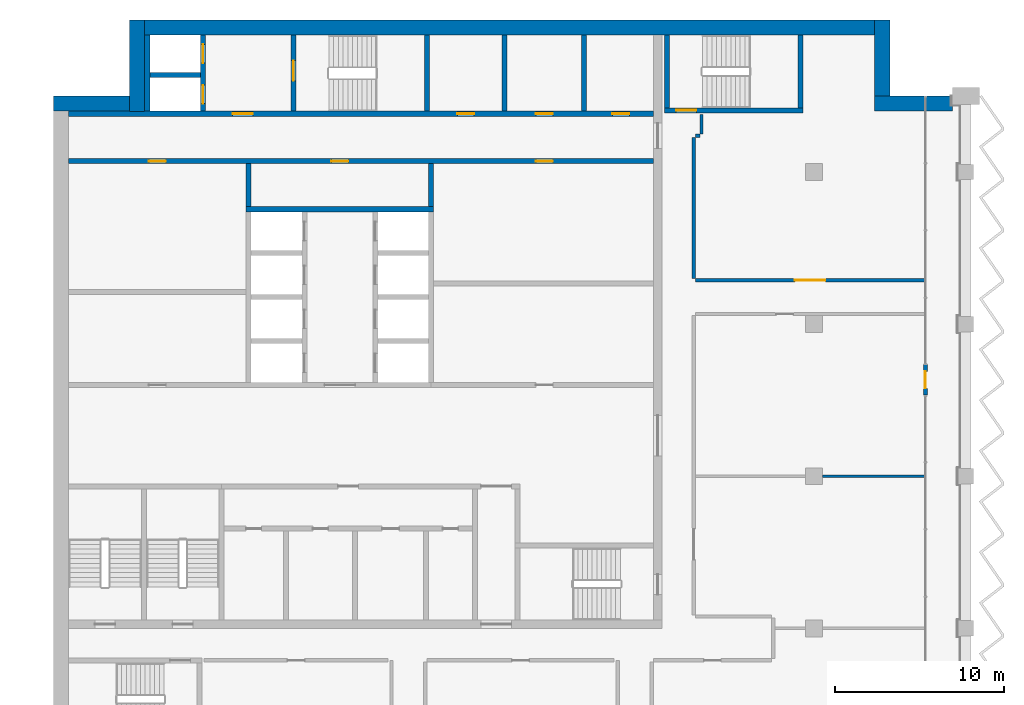
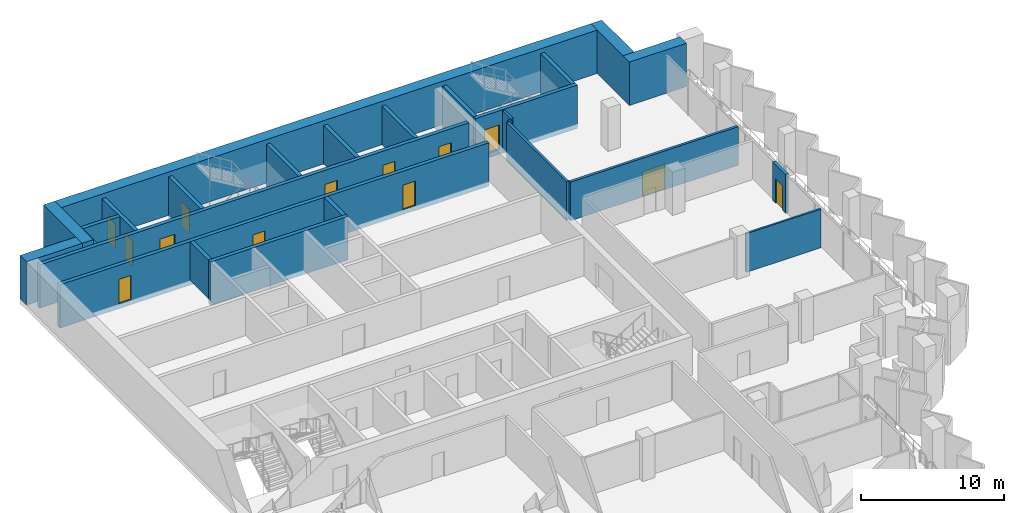
# One storey, part 10 of 16: 26 walls, 13 doors, 13 openings.
"""IFC4 building model written with IfcOpenShell, lengths in metres."""

from ifc_helpers import new_model, si_unit, direction, frame, frame_2d, origin, place, context, subcontext, project, spatial, rectangle, extrude, material, layer, layer_set, type_object, element, fill, save


model = new_model("IFC4")

# Units and contexts
model_context = context("Model", 3, precision=1e-05, world=origin(), true_north=direction((0.0, 1.0)))
body_context = subcontext(model_context, "Body", "Model", "MODEL_VIEW")
ifc_project = project(units=[si_unit("LENGTHUNIT", "METRE"), si_unit("AREAUNIT", "SQUARE_METRE"), si_unit("VOLUMEUNIT", "CUBIC_METRE"), si_unit("PLANEANGLEUNIT", "RADIAN"), si_unit("MASSUNIT", "GRAM", prefix="KILO")], contexts=[model_context])

# Site, building, storey
site_placement = place(None, origin())
site = spatial("IfcSite", under=ifc_project, at=site_placement, CompositionType="ELEMENT")
building_placement = place(site_placement, origin())
building = spatial("IfcBuilding", under=site, at=building_placement, Name="Hunhe Ridgeline Campus", CompositionType="ELEMENT")
storey_placement = place(building_placement, frame((0.0, 0.0, 261.39990234375)))
storey = spatial("IfcBuildingStorey", under=building, at=storey_placement, Name="L67", CompositionType="ELEMENT", Elevation=261.39990234375)

# Walls
ifc_material_1 = material(Name="Masonry concrete blockwork", Category="masonry")
ifc_layer_1 = layer(ifc_material_1, 0.300048828125)
ifc_layer_set_1 = layer_set([ifc_layer_1], Name="Core room partition 300 concrete block")
wall_type_1 = type_object("IfcWallType", Name="Core room partition 300 concrete block", PredefinedType="PARTITIONING", material=ifc_layer_set_1)
for number, where, z_axis, x_axis, name in (
    (1, (11.550048828125, 87.949951171875, 0.0), (0.0, 0.0, 1.0), (0.0, 1.0, 0.0), "L67 core partition 31"),
    (2, (22.35009765625, 87.949951171875, 0.0), (0.0, 0.0, 1.0), (0.0, 1.0, 0.0), "L67 core partition 41"),
):
    element("IfcWall", number, at=place(storey_placement, frame(where, z_axis=z_axis, x_axis=x_axis)), inside=storey, type_object=wall_type_1, Name=name, PredefinedType="PARTITIONING", context=body_context, shape_type="SweptSolid", body=[
        extrude(rectangle(XDim=2.550048828125, YDim=0.300048828125, at=frame_2d((1.27490234375, 0.0))), origin(), (0.0, 0.0, 1.0), 3.300048828125),
    ])
for number, where, z_axis, x_axis, name in (
    (3, (26.699951171875, 93.60009765625, 0.0), (0.0, 0.0, 1.0), (0.0, 1.0, 0.0), "L67 core partition 44"),
    (4, (31.39990234375, 93.60009765625, 0.0), (0.0, 0.0, 1.0), (0.0, 1.0, 0.0), "L67 core partition 47"),
):
    element("IfcWall", number, at=place(storey_placement, frame(where, z_axis=z_axis, x_axis=x_axis)), inside=storey, type_object=wall_type_1, Name=name, PredefinedType="PARTITIONING", context=body_context, shape_type="SweptSolid", body=[
        extrude(rectangle(XDim=4.5, YDim=0.300048828125, at=frame_2d((2.25, 0.0))), origin(), (0.0, 0.0, 1.0), 3.300048828125),
    ])

# Wall, opening, door
ifc_material_2 = material(Name="Gypsum board partition")
ifc_layer_2 = layer(ifc_material_2, 0.199951171875)
ifc_layer_set_2 = layer_set([ifc_layer_2], Name="Corridor partition 200 gypsum board on steel studs")
wall_type_2 = type_object("IfcWallType", Name="Corridor partition 200 gypsum board on steel studs", PredefinedType="PARTITIONING", material=ifc_layer_set_2)
wall_1_placement = place(storey_placement, frame((38.0, 83.60009765625, 0.0), z_axis=(0.0, 0.0, 1.0), x_axis=(1.0, 0.0, 0.0)))
wall_1 = element("IfcWall", 5, at=wall_1_placement, inside=storey, type_object=wall_type_2, Name="F-L67-wall-030", PredefinedType="PARTITIONING", context=body_context, shape_type="SweptSolid", body=[
    extrude(rectangle(XDim=13.544921875, YDim=0.199951171875, at=frame_2d((6.7724609375, 0.0))), origin(), (0.0, 0.0, 1.0), 3.300048828125),
])
opening_1_placement = place(wall_1_placement, frame((5.87255859375, 0.0, 0.0)))
opening_1 = element("IfcOpeningElement", 6, at=opening_1_placement, cuts=wall_1, Name="Opening RD2-020", PredefinedType="OPENING", context=body_context, shape_type="SweptSolid", body=[
    extrude(rectangle(XDim=1.800048828125, YDim=2.10009765625, at=frame_2d((0.89990234375, 1.050048828125))), frame((0.0, 0.10009765625, 0.0), z_axis=(0.0, -1.0, 0.0), x_axis=(1.0, 0.0, 0.0)), (0.0, 0.0, 1.0), 0.199951171875),
])
ifc_material_3 = material(Name="Timber door leaf", Category="wood")
door_type_1 = type_object("IfcDoorType", Name="Double fire door 1800x2100 timber FD60", OperationType="DOUBLE_DOOR_SINGLE_SWING", PredefinedType="DOOR", material=ifc_material_3)
door_1_placement = place(opening_1_placement, origin())
door_1 = element("IfcDoor", 7, at=door_1_placement, inside=storey, type_object=door_type_1, Name="F-L67-door-020", OperationType="DOUBLE_DOOR_SINGLE_SWING", OverallHeight=2.10009765625, OverallWidth=1.800048828125, PredefinedType="DOOR", context=body_context, shape_type="SweptSolid", body=[
    extrude(rectangle(XDim=1.800048828125, YDim=2.10009765625, at=frame_2d((0.89990234375, 1.050048828125))), frame((0.0, 0.02490234375, 0.0), z_axis=(0.0, -1.0, 0.0), x_axis=(1.0, 0.0, 0.0)), (0.0, 0.0, 1.0), 0.050048828125),
])
fill(opening_1, door_1)

# Walls
wall_2_placement = place(storey_placement, frame((38.25, 92.14990234375, 0.0), z_axis=(0.0, 0.0, 1.0), x_axis=(-1.0, 0.0, 0.0)))
element("IfcWall", 8, at=wall_2_placement, inside=storey, type_object=wall_type_2, Name="F-L67-wall-031", PredefinedType="PARTITIONING", context=body_context, shape_type="SweptSolid", body=[
    extrude(rectangle(XDim=0.25, YDim=0.199951171875, at=frame_2d((0.125, 0.0))), origin(), (0.0, 0.0, 1.0), 3.300048828125),
])
wall_3_placement = place(storey_placement, frame((37.89990234375, 92.050048828125, 0.0), z_axis=(0.0, 0.0, 1.0), x_axis=(0.0, -1.0, 0.0)))
element("IfcWall", 9, at=wall_3_placement, inside=storey, type_object=wall_type_2, Name="F-L67-wall-040", PredefinedType="PARTITIONING", context=body_context, shape_type="SweptSolid", body=[
    extrude(rectangle(XDim=8.35009765625, YDim=0.199951171875, at=frame_2d((4.175048828125, 0.0))), origin(), (0.0, 0.0, 1.0), 3.300048828125),
])
wall_4_placement = place(storey_placement, frame((38.35009765625, 93.39599609375, 0.0), z_axis=(0.0, 0.0, 1.0), x_axis=(0.0, -1.0, 0.0)))
element("IfcWall", 10, at=wall_4_placement, inside=storey, type_object=wall_type_2, Name="F-L67-wall-041", PredefinedType="PARTITIONING", context=body_context, shape_type="SweptSolid", body=[
    extrude(rectangle(XDim=1.14599609375, YDim=0.199951171875, at=frame_2d((0.572998046875, 0.0))), origin(), (0.0, 0.0, 1.0), 3.300048828125),
])

# Wall, openings, doors
ifc_material_4 = material(Name="Concrete C50", Category="concrete")
ifc_layer_3 = layer(ifc_material_4, 0.300048828125)
ifc_layer_set_3 = layer_set([ifc_layer_3], Name="Lobby wall 300 reinforced concrete C50")
wall_type_3 = type_object("IfcWallType", Name="Lobby wall 300 reinforced concrete C50", PredefinedType="SOLIDWALL", material=ifc_layer_set_3)
wall_5_placement = place(storey_placement, frame((0.89990234375, 90.64990234375, -0.39990234375), z_axis=(0.0, 0.0, 1.0), x_axis=(1.0, 0.0, 0.0)))
wall_5 = element("IfcWall", 11, at=wall_5_placement, inside=storey, type_object=wall_type_3, Name="L67 core wall 21", PredefinedType="SOLIDWALL", context=body_context, shape_type="SweptSolid", body=[
    extrude(rectangle(XDim=34.60009765625, YDim=0.300048828125, at=frame_2d((17.300048828125, 0.0))), origin(), (0.0, 0.0, 1.0), 3.699951171875),
])
opening_2_placement = place(wall_5_placement, frame((15.550048828125, 0.0, 0.39990234375)))
opening_2 = element("IfcOpeningElement", 12, at=opening_2_placement, cuts=wall_5, Name="Opening CD26", PredefinedType="OPENING", context=body_context, shape_type="SweptSolid", body=[
    extrude(rectangle(XDim=1.0, YDim=2.10009765625, at=frame_2d((0.5, 1.050048828125))), frame((0.0, 0.14990234375, 0.0), z_axis=(0.0, -1.0, 0.0), x_axis=(1.0, 0.0, 0.0)), (0.0, 0.0, 1.0), 0.300048828125),
])
opening_3_placement = place(wall_5_placement, frame((4.75, 0.0, 0.39990234375)))
opening_3 = element("IfcOpeningElement", 13, at=opening_3_placement, cuts=wall_5, Name="Opening CD40", PredefinedType="OPENING", context=body_context, shape_type="SweptSolid", body=[
    extrude(rectangle(XDim=1.0, YDim=2.10009765625, at=frame_2d((0.5, 1.050048828125))), frame((0.0, 0.14990234375, 0.0), z_axis=(0.0, -1.0, 0.0), x_axis=(1.0, 0.0, 0.0)), (0.0, 0.0, 1.0), 0.300048828125),
])
opening_4_placement = place(wall_5_placement, frame((27.64990234375, 0.0, 0.39990234375)))
opening_4 = element("IfcOpeningElement", 14, at=opening_4_placement, cuts=wall_5, Name="Opening CD33", PredefinedType="OPENING", context=body_context, shape_type="SweptSolid", body=[
    extrude(rectangle(XDim=1.0, YDim=2.10009765625, at=frame_2d((0.5, 1.050048828125))), frame((0.0, 0.14990234375, 0.0), z_axis=(0.0, -1.0, 0.0), x_axis=(1.0, 0.0, 0.0)), (0.0, 0.0, 1.0), 0.300048828125),
])
ifc_material_5 = material(Name="Solid core timber door leaf", Category="wood")
door_type_2 = type_object("IfcDoorType", Name="Timber door 1000x2100", OperationType="SINGLE_SWING_LEFT", PredefinedType="DOOR", material=ifc_material_5)
door_2_placement = place(opening_2_placement, frame((1.0, 0.0, 0.0), z_axis=(0.0, 0.0, 1.0), x_axis=(-1.0, 0.0, 0.0)))
door_2 = element("IfcDoor", 15, at=door_2_placement, inside=storey, type_object=door_type_2, Name="L67 door NR-0", OperationType="SINGLE_SWING_RIGHT", OverallHeight=2.10009765625, OverallWidth=1.0, PredefinedType="DOOR", context=body_context, shape_type="SweptSolid", body=[
    extrude(rectangle(XDim=1.0, YDim=2.10009765625, at=frame_2d((0.5, 1.050048828125))), frame((0.0, 0.02490234375, 0.0), z_axis=(0.0, -1.0, 0.0), x_axis=(1.0, 0.0, 0.0)), (0.0, 0.0, 1.0), 0.050048828125),
])
fill(opening_2, door_2)
door_3_placement = place(opening_3_placement, frame((1.0, 0.0, 0.0), z_axis=(0.0, 0.0, 1.0), x_axis=(-1.0, 0.0, 0.0)))
door_3 = element("IfcDoor", 16, at=door_3_placement, inside=storey, type_object=door_type_2, Name="L67 door VD-LR1", OperationType="SINGLE_SWING_RIGHT", OverallHeight=2.10009765625, OverallWidth=1.0, PredefinedType="DOOR", context=body_context, shape_type="SweptSolid", body=[
    extrude(rectangle(XDim=1.0, YDim=2.10009765625, at=frame_2d((0.5, 1.050048828125))), frame((0.0, 0.02490234375, 0.0), z_axis=(0.0, -1.0, 0.0), x_axis=(1.0, 0.0, 0.0)), (0.0, 0.0, 1.0), 0.050048828125),
])
fill(opening_3, door_3)
door_4_placement = place(opening_4_placement, frame((1.0, 0.0, 0.0), z_axis=(0.0, 0.0, 1.0), x_axis=(-1.0, 0.0, 0.0)))
door_4 = element("IfcDoor", 17, at=door_4_placement, inside=storey, type_object=door_type_2, Name="L67 door ES1", OperationType="SINGLE_SWING_LEFT", OverallHeight=2.10009765625, OverallWidth=1.0, PredefinedType="DOOR", context=body_context, shape_type="SweptSolid", body=[
    extrude(rectangle(XDim=1.0, YDim=2.10009765625, at=frame_2d((0.5, 1.050048828125))), frame((0.0, 0.02490234375, 0.0), z_axis=(0.0, -1.0, 0.0), x_axis=(1.0, 0.0, 0.0)), (0.0, 0.0, 1.0), 0.050048828125),
])
fill(opening_4, door_4)

# Wall, opening, door
ifc_material_6 = material(Name="Concrete C30", Category="concrete")
ifc_layer_4 = layer(ifc_material_6, 0.25)
ifc_layer_set_4 = layer_set([ifc_layer_4], Name="Loggia door pier wall 250 Concrete C30")
wall_type_4 = type_object("IfcWallType", Name="Loggia door pier wall 250 Concrete C30", PredefinedType="SOLIDWALL", material=ifc_layer_set_4)
wall_6_placement = place(storey_placement, frame((51.59912109375, 76.800537109375, 0.0), z_axis=(0.0, 0.0, 1.0), x_axis=(0.0, 1.0, 0.0)))
wall_6 = element("IfcWall", 18, at=wall_6_placement, inside=storey, type_object=wall_type_4, Name="Loggia door pier 4", PredefinedType="SOLIDWALL", context=body_context, shape_type="SweptSolid", body=[
    extrude(rectangle(XDim=1.800048828125, YDim=0.25, at=frame_2d((0.89990234375, 0.0))), origin(), (0.0, 0.0, 1.0), 3.300048828125),
])
opening_5_placement = place(wall_6_placement, frame((0.39990234375, 0.0, 0.0)))
opening_5 = element("IfcOpeningElement", 19, at=opening_5_placement, cuts=wall_6, Name="Opening BD506", PredefinedType="OPENING", context=body_context, shape_type="SweptSolid", body=[
    extrude(rectangle(XDim=1.0, YDim=2.10009765625, at=frame_2d((0.5, 1.050048828125))), frame((0.0, 0.125, 0.0), z_axis=(0.0, -1.0, 0.0), x_axis=(1.0, 0.0, 0.0)), (0.0, 0.0, 1.0), 0.25),
])
ifc_material_7 = material(Name="Aluminium 6063", Category="aluminium")
door_type_3 = type_object("IfcDoorType", Name="Loggia glazed door 1000x2100", OperationType="NOTDEFINED", PredefinedType="DOOR", material=ifc_material_7)
door_5_placement = place(opening_5_placement, frame((1.0, 0.0, 0.0), z_axis=(0.0, 0.0, 1.0), x_axis=(-1.0, 0.0, 0.0)))
door_5 = element("IfcDoor", 20, at=door_5_placement, inside=storey, type_object=door_type_3, Name="Loggia door BD506", OperationType="SINGLE_SWING_LEFT", OverallHeight=2.10009765625, OverallWidth=1.0, PredefinedType="DOOR", context=body_context, shape_type="SweptSolid", body=[
    extrude(rectangle(XDim=1.0, YDim=2.10009765625, at=frame_2d((0.5, 1.050048828125))), frame((0.0, 0.02490234375, 0.0), z_axis=(0.0, -1.0, 0.0), x_axis=(1.0, 0.0, 0.0)), (0.0, 0.0, 1.0), 0.050048828125),
])
fill(opening_5, door_5)

# Walls
ifc_layer_5 = layer(ifc_material_2, 0.14990234375)
ifc_layer_set_5 = layer_set([ifc_layer_5], Name="Room partition 150 gypsum board on steel studs")
wall_type_5 = type_object("IfcWallType", Name="Room partition 150 gypsum board on steel studs", PredefinedType="PARTITIONING", material=ifc_layer_set_5)
wall_7_placement = place(storey_placement, frame((45.5, 72.0, 0.0), z_axis=(0.0, 0.0, 1.0), x_axis=(1.0, 0.0, 0.0)))
element("IfcWall", 21, at=wall_7_placement, inside=storey, type_object=wall_type_5, Name="F-L67-wall-028", PredefinedType="PARTITIONING", context=body_context, shape_type="SweptSolid", body=[
    extrude(rectangle(XDim=6.044921875, YDim=0.14990234375, at=frame_2d((3.0224609375, 0.0))), origin(), (0.0, 0.0, 1.0), 3.300048828125),
])
ifc_layer_6 = layer(ifc_material_4, 0.300048828125)
ifc_layer_set_6 = layer_set([ifc_layer_6], Name="Shaft wall 300 reinforced concrete C50")
wall_type_6 = type_object("IfcWallType", Name="Shaft wall 300 reinforced concrete C50", PredefinedType="SOLIDWALL", material=ifc_layer_set_6)
wall_8_placement = place(storey_placement, frame((11.39990234375, 87.800048828125, -0.39990234375), z_axis=(0.0, 0.0, 1.0), x_axis=(1.0, 0.0, 0.0)))
element("IfcWall", 22, at=wall_8_placement, inside=storey, type_object=wall_type_6, Name="L67 core wall 20", PredefinedType="SOLIDWALL", context=body_context, shape_type="SweptSolid", body=[
    extrude(rectangle(XDim=11.10009765625, YDim=0.300048828125, at=frame_2d((5.550048828125, 0.0))), origin(), (0.0, 0.0, 1.0), 3.699951171875),
])

# Wall, openings, doors
wall_9_placement = place(storey_placement, frame((0.89990234375, 93.449951171875, -0.39990234375), z_axis=(0.0, 0.0, 1.0), x_axis=(1.0, 0.0, 0.0)))
wall_9 = element("IfcWall", 23, at=wall_9_placement, inside=storey, type_object=wall_type_6, Name="L67 core wall 22", PredefinedType="SOLIDWALL", context=body_context, shape_type="SweptSolid", body=[
    extrude(rectangle(XDim=34.60009765625, YDim=0.300048828125, at=frame_2d((17.300048828125, 0.0))), origin(), (0.0, 0.0, 1.0), 3.699951171875),
])
opening_6_placement = place(wall_9_placement, frame((9.699951171875, 0.0, 0.39990234375)))
opening_6 = element("IfcOpeningElement", 24, at=opening_6_placement, cuts=wall_9, Name="Opening CD3", PredefinedType="OPENING", context=body_context, shape_type="SweptSolid", body=[
    extrude(rectangle(XDim=1.199951171875, YDim=2.10009765625, at=frame_2d((0.60009765625, 1.050048828125))), frame((0.0, 0.14990234375, 0.0), z_axis=(0.0, -1.0, 0.0), x_axis=(1.0, 0.0, 0.0)), (0.0, 0.0, 1.0), 0.300048828125),
])
opening_7_placement = place(wall_9_placement, frame((23.0, 0.0, 0.39990234375)))
opening_7 = element("IfcOpeningElement", 25, at=opening_7_placement, cuts=wall_9, Name="Opening CD34", PredefinedType="OPENING", context=body_context, shape_type="SweptSolid", body=[
    extrude(rectangle(XDim=1.0, YDim=2.10009765625, at=frame_2d((0.5, 1.050048828125))), frame((0.0, 0.14990234375, 0.0), z_axis=(0.0, -1.0, 0.0), x_axis=(1.0, 0.0, 0.0)), (0.0, 0.0, 1.0), 0.300048828125),
])
opening_8_placement = place(wall_9_placement, frame((27.64990234375, 0.0, 0.39990234375)))
opening_8 = element("IfcOpeningElement", 26, at=opening_8_placement, cuts=wall_9, Name="Opening CD35", PredefinedType="OPENING", context=body_context, shape_type="SweptSolid", body=[
    extrude(rectangle(XDim=1.0, YDim=2.10009765625, at=frame_2d((0.5, 1.050048828125))), frame((0.0, 0.14990234375, 0.0), z_axis=(0.0, -1.0, 0.0), x_axis=(1.0, 0.0, 0.0)), (0.0, 0.0, 1.0), 0.300048828125),
])
opening_9_placement = place(wall_9_placement, frame((32.175048828125, 0.0, 0.39990234375)))
opening_9 = element("IfcOpeningElement", 27, at=opening_9_placement, cuts=wall_9, Name="Opening CD36", PredefinedType="OPENING", context=body_context, shape_type="SweptSolid", body=[
    extrude(rectangle(XDim=1.0, YDim=2.10009765625, at=frame_2d((0.5, 1.050048828125))), frame((0.0, 0.14990234375, 0.0), z_axis=(0.0, -1.0, 0.0), x_axis=(1.0, 0.0, 0.0)), (0.0, 0.0, 1.0), 0.300048828125),
])
ifc_material_8 = material(Name="Hollow metal fire door leaf")
door_type_4 = type_object("IfcDoorType", Name="Lobby door 1200x2100 FD60", OperationType="SINGLE_SWING_LEFT", PredefinedType="DOOR", material=ifc_material_8)
door_6_placement = place(opening_6_placement, frame((1.199951171875, 0.0, 0.0), z_axis=(0.0, 0.0, 1.0), x_axis=(-1.0, 0.0, 0.0)))
door_6 = element("IfcDoor", 28, at=door_6_placement, inside=storey, type_object=door_type_4, Name="L67 door FF-C1", OperationType="SINGLE_SWING_RIGHT", OverallHeight=2.10009765625, OverallWidth=1.199951171875, PredefinedType="DOOR", context=body_context, shape_type="SweptSolid", body=[
    extrude(rectangle(XDim=1.199951171875, YDim=2.10009765625, at=frame_2d((0.60009765625, 1.050048828125))), frame((0.0, 0.02490234375, 0.0), z_axis=(0.0, -1.0, 0.0), x_axis=(1.0, 0.0, 0.0)), (0.0, 0.0, 1.0), 0.050048828125),
])
fill(opening_6, door_6)
door_7_placement = place(opening_7_placement, origin())
door_7 = element("IfcDoor", 29, at=door_7_placement, inside=storey, type_object=door_type_2, Name="L67 door NB0", OperationType="SINGLE_SWING_LEFT", OverallHeight=2.10009765625, OverallWidth=1.0, PredefinedType="DOOR", context=body_context, shape_type="SweptSolid", body=[
    extrude(rectangle(XDim=1.0, YDim=2.10009765625, at=frame_2d((0.5, 1.050048828125))), frame((0.0, 0.02490234375, 0.0), z_axis=(0.0, -1.0, 0.0), x_axis=(1.0, 0.0, 0.0)), (0.0, 0.0, 1.0), 0.050048828125),
])
fill(opening_7, door_7)
door_8_placement = place(opening_8_placement, origin())
door_8 = element("IfcDoor", 30, at=door_8_placement, inside=storey, type_object=door_type_2, Name="L67 door NB1", OperationType="SINGLE_SWING_RIGHT", OverallHeight=2.10009765625, OverallWidth=1.0, PredefinedType="DOOR", context=body_context, shape_type="SweptSolid", body=[
    extrude(rectangle(XDim=1.0, YDim=2.10009765625, at=frame_2d((0.5, 1.050048828125))), frame((0.0, 0.02490234375, 0.0), z_axis=(0.0, -1.0, 0.0), x_axis=(1.0, 0.0, 0.0)), (0.0, 0.0, 1.0), 0.050048828125),
])
fill(opening_8, door_8)
door_9_placement = place(opening_9_placement, origin())
door_9 = element("IfcDoor", 31, at=door_9_placement, inside=storey, type_object=door_type_2, Name="L67 door NB2", OperationType="SINGLE_SWING_LEFT", OverallHeight=2.10009765625, OverallWidth=1.0, PredefinedType="DOOR", context=body_context, shape_type="SweptSolid", body=[
    extrude(rectangle(XDim=1.0, YDim=2.10009765625, at=frame_2d((0.5, 1.050048828125))), frame((0.0, 0.02490234375, 0.0), z_axis=(0.0, -1.0, 0.0), x_axis=(1.0, 0.0, 0.0)), (0.0, 0.0, 1.0), 0.050048828125),
])
fill(opening_9, door_9)

# Walls
wall_10_placement = place(storey_placement, frame((5.699951171875, 95.75, -0.39990234375), z_axis=(0.0, 0.0, 1.0), x_axis=(1.0, 0.0, 0.0)))
element("IfcWall", 32, at=wall_10_placement, inside=storey, type_object=wall_type_6, Name="L67 core wall 24", PredefinedType="SOLIDWALL", context=body_context, shape_type="SweptSolid", body=[
    extrude(rectangle(XDim=3.0, YDim=0.300048828125, at=frame_2d((1.5, 0.0))), origin(), (0.0, 0.0, 1.0), 3.699951171875),
])
wall_11_placement = place(storey_placement, frame((5.550048828125, 93.60009765625, -0.39990234375), z_axis=(0.0, 0.0, 1.0), x_axis=(0.0, 1.0, 0.0)))
element("IfcWall", 33, at=wall_11_placement, inside=storey, type_object=wall_type_6, Name="L67 core wall 26", PredefinedType="SOLIDWALL", context=body_context, shape_type="SweptSolid", body=[
    extrude(rectangle(XDim=4.5, YDim=0.300048828125, at=frame_2d((2.25, 0.0))), origin(), (0.0, 0.0, 1.0), 3.699951171875),
])

# Wall, openings, doors
wall_12_placement = place(storey_placement, frame((8.85009765625, 93.60009765625, -0.39990234375), z_axis=(0.0, 0.0, 1.0), x_axis=(0.0, 1.0, 0.0)))
wall_12 = element("IfcWall", 34, at=wall_12_placement, inside=storey, type_object=wall_type_6, Name="L67 core wall 28", PredefinedType="SOLIDWALL", context=body_context, shape_type="SweptSolid", body=[
    extrude(rectangle(XDim=4.5, YDim=0.300048828125, at=frame_2d((2.25, 0.0))), origin(), (0.0, 0.0, 1.0), 3.699951171875),
])
opening_10_placement = place(wall_12_placement, frame((0.449951171875, 0.0, 0.39990234375)))
opening_10 = element("IfcOpeningElement", 35, at=opening_10_placement, cuts=wall_12, Name="Opening LD-FF1", PredefinedType="OPENING", context=body_context, shape_type="SweptSolid", body=[
    extrude(rectangle(XDim=1.10009765625, YDim=2.10009765625, at=frame_2d((0.550048828125, 1.050048828125))), frame((0.0, 0.14990234375, 0.0), z_axis=(0.0, -1.0, 0.0), x_axis=(1.0, 0.0, 0.0)), (0.0, 0.0, 1.0), 0.300048828125),
])
opening_11_placement = place(wall_12_placement, frame((2.85009765625, 0.0, 0.39990234375)))
opening_11 = element("IfcOpeningElement", 36, at=opening_11_placement, cuts=wall_12, Name="Opening LD-FF2", PredefinedType="OPENING", context=body_context, shape_type="SweptSolid", body=[
    extrude(rectangle(XDim=1.10009765625, YDim=2.10009765625, at=frame_2d((0.550048828125, 1.050048828125))), frame((0.0, 0.14990234375, 0.0), z_axis=(0.0, -1.0, 0.0), x_axis=(1.0, 0.0, 0.0)), (0.0, 0.0, 1.0), 0.300048828125),
])
ifc_material_9 = material(Name="Stainless steel sliding leaves", Category="steel")
door_type_5 = type_object("IfcDoorType", Name="Landing door 1100x2100 FD120", OperationType="SLIDING_TO_LEFT", PredefinedType="DOOR", material=ifc_material_9)
door_10_placement = place(opening_10_placement, origin())
door_10 = element("IfcDoor", 37, at=door_10_placement, inside=storey, type_object=door_type_5, Name="L67 landing door FF1", OperationType="SLIDING_TO_RIGHT", OverallHeight=2.10009765625, OverallWidth=1.10009765625, PredefinedType="DOOR", context=body_context, shape_type="SweptSolid", body=[
    extrude(rectangle(XDim=1.10009765625, YDim=2.10009765625, at=frame_2d((0.550048828125, 1.050048828125))), frame((0.0, 0.02490234375, 0.0), z_axis=(0.0, -1.0, 0.0), x_axis=(1.0, 0.0, 0.0)), (0.0, 0.0, 1.0), 0.050048828125),
])
fill(opening_10, door_10)
door_11_placement = place(opening_11_placement, origin())
door_11 = element("IfcDoor", 38, at=door_11_placement, inside=storey, type_object=door_type_5, Name="L67 landing door FF2", OperationType="SLIDING_TO_LEFT", OverallHeight=2.10009765625, OverallWidth=1.10009765625, PredefinedType="DOOR", context=body_context, shape_type="SweptSolid", body=[
    extrude(rectangle(XDim=1.10009765625, YDim=2.10009765625, at=frame_2d((0.550048828125, 1.050048828125))), frame((0.0, 0.02490234375, 0.0), z_axis=(0.0, -1.0, 0.0), x_axis=(1.0, 0.0, 0.0)), (0.0, 0.0, 1.0), 0.050048828125),
])
fill(opening_11, door_11)

# Walls
ifc_material_10 = material(Name="Concrete C60", Category="concrete")
ifc_layer_7 = layer(ifc_material_10, 0.89990234375)
ifc_layer_set_7 = layer_set([ifc_layer_7], Name="Spine wall 900 Concrete C60")
wall_type_7 = type_object("IfcWallType", Name="Spine wall 900 Concrete C60", PredefinedType="SHEAR", material=ifc_layer_set_7)
wall_13_placement = place(storey_placement, frame((53.199951171875, 94.050048828125, 0.0), z_axis=(0.0, 0.0, 1.0), x_axis=(-1.0, 0.0, 0.0)))
element("IfcWall", 39, at=wall_13_placement, inside=storey, type_object=wall_type_7, Name="Spine wall SW3-2 L67", PredefinedType="SHEAR", context=body_context, shape_type="SweptSolid", body=[
    extrude(rectangle(XDim=4.599853515625, YDim=0.89990234375, at=frame_2d((2.2998046875, 0.0))), origin(), (0.0, 0.0, 1.0), 3.7001953125),
])
wall_14_placement = place(storey_placement, frame((49.050048828125, 93.60009765625, 0.0), z_axis=(0.0, 0.0, 1.0), x_axis=(0.0, 1.0, 0.0)))
element("IfcWall", 40, at=wall_14_placement, inside=storey, type_object=wall_type_7, Name="Spine wall SW3-3 L67", PredefinedType="SHEAR", context=body_context, shape_type="SweptSolid", body=[
    extrude(rectangle(XDim=5.39990234375, YDim=0.89990234375, at=frame_2d((2.699951171875, 0.0))), origin(), (0.0, 0.0, 1.0), 3.7001953125),
])
wall_15_placement = place(storey_placement, frame((49.5, 98.550048828125, 0.0), z_axis=(0.0, 0.0, 1.0), x_axis=(-1.0, 0.0, 0.0)))
element("IfcWall", 41, at=wall_15_placement, inside=storey, type_object=wall_type_7, Name="Spine wall SW3-4 L67", PredefinedType="SHEAR", context=body_context, shape_type="SweptSolid", body=[
    extrude(rectangle(XDim=45.0, YDim=0.89990234375, at=frame_2d((22.5, 0.0))), origin(), (0.0, 0.0, 1.0), 3.7001953125),
])
for number, where, z_axis, x_axis, name in (
    (42, (4.949951171875, 99.0, 0.0), (0.0, 0.0, 1.0), (0.0, -1.0, 0.0), "Spine wall SW3-5 L67"),
    (43, (5.400146484375, 94.050048828125, 0.0), (0.0, 0.0, 1.0), (-1.0, 0.0, 0.0), "Spine wall SW3-6 L67"),
):
    element("IfcWall", number, at=place(storey_placement, frame(where, z_axis=z_axis, x_axis=x_axis)), inside=storey, type_object=wall_type_7, Name=name, PredefinedType="SHEAR", context=body_context, shape_type="SweptSolid", body=[
        extrude(rectangle(XDim=5.400146484375, YDim=0.89990234375, at=frame_2d((2.7001953125, 0.0))), origin(), (0.0, 0.0, 1.0), 3.7001953125),
    ])

# Wall, opening, door
ifc_layer_8 = layer(ifc_material_4, 0.300048828125)
ifc_layer_set_8 = layer_set([ifc_layer_8], Name="Stair wall 300 reinforced concrete C50")
wall_type_8 = type_object("IfcWallType", Name="Stair wall 300 reinforced concrete C50", PredefinedType="SOLIDWALL", material=ifc_layer_set_8)
wall_16_placement = place(storey_placement, frame((36.14990234375, 93.64990234375, -0.39990234375), z_axis=(0.0, 0.0, 1.0), x_axis=(1.0, 0.0, 0.0)))
wall_16 = element("IfcWall", 44, at=wall_16_placement, inside=storey, type_object=wall_type_8, Name="L67 core wall 23", PredefinedType="SOLIDWALL", context=body_context, shape_type="SweptSolid", body=[
    extrude(rectangle(XDim=8.2001953125, YDim=0.300048828125, at=frame_2d((4.10009765625, 0.0))), origin(), (0.0, 0.0, 1.0), 3.699951171875),
])
opening_12_placement = place(wall_16_placement, frame((0.699951171875, 0.0, 0.39990234375)))
opening_12 = element("IfcOpeningElement", 45, at=opening_12_placement, cuts=wall_16, Name="Opening CD17", PredefinedType="OPENING", context=body_context, shape_type="SweptSolid", body=[
    extrude(rectangle(XDim=1.199951171875, YDim=2.10009765625, at=frame_2d((0.60009765625, 1.050048828125))), frame((0.0, 0.14990234375, 0.0), z_axis=(0.0, -1.0, 0.0), x_axis=(1.0, 0.0, 0.0)), (0.0, 0.0, 1.0), 0.300048828125),
])
door_type_6 = type_object("IfcDoorType", Name="Stair door 1200x2100 FD60", OperationType="SINGLE_SWING_LEFT", PredefinedType="DOOR", material=ifc_material_8)
door_12_placement = place(opening_12_placement, frame((1.199951171875, 0.0, 0.0), z_axis=(0.0, 0.0, 1.0), x_axis=(-1.0, 0.0, 0.0)))
door_12 = element("IfcDoor", 46, at=door_12_placement, inside=storey, type_object=door_type_6, Name="L67 door E1", OperationType="SINGLE_SWING_LEFT", OverallHeight=2.10009765625, OverallWidth=1.199951171875, PredefinedType="DOOR", context=body_context, shape_type="SweptSolid", body=[
    extrude(rectangle(XDim=1.199951171875, YDim=2.10009765625, at=frame_2d((0.60009765625, 1.050048828125))), frame((0.0, 0.02490234375, 0.0), z_axis=(0.0, -1.0, 0.0), x_axis=(1.0, 0.0, 0.0)), (0.0, 0.0, 1.0), 0.050048828125),
])
fill(opening_12, door_12)

wall_17_placement = place(storey_placement, frame((14.199951171875, 93.60009765625, -0.39990234375), z_axis=(0.0, 0.0, 1.0), x_axis=(0.0, 1.0, 0.0)))
wall_17 = element("IfcWall", 47, at=wall_17_placement, inside=storey, type_object=wall_type_8, Name="L67 core wall 33", PredefinedType="SOLIDWALL", context=body_context, shape_type="SweptSolid", body=[
    extrude(rectangle(XDim=4.5, YDim=0.300048828125, at=frame_2d((2.25, 0.0))), origin(), (0.0, 0.0, 1.0), 3.699951171875),
])
opening_13_placement = place(wall_17_placement, frame((1.800048828125, 0.0, 0.39990234375)))
opening_13 = element("IfcOpeningElement", 48, at=opening_13_placement, cuts=wall_17, Name="Opening CD16", PredefinedType="OPENING", context=body_context, shape_type="SweptSolid", body=[
    extrude(rectangle(XDim=1.199951171875, YDim=2.10009765625, at=frame_2d((0.60009765625, 1.050048828125))), frame((0.0, 0.14990234375, 0.0), z_axis=(0.0, -1.0, 0.0), x_axis=(1.0, 0.0, 0.0)), (0.0, 0.0, 1.0), 0.300048828125),
])
door_13_placement = place(opening_13_placement, origin())
door_13 = element("IfcDoor", 49, at=door_13_placement, inside=storey, type_object=door_type_6, Name="L67 door S1-FF", OperationType="SINGLE_SWING_RIGHT", OverallHeight=2.10009765625, OverallWidth=1.199951171875, PredefinedType="DOOR", context=body_context, shape_type="SweptSolid", body=[
    extrude(rectangle(XDim=1.199951171875, YDim=2.10009765625, at=frame_2d((0.60009765625, 1.050048828125))), frame((0.0, 0.02490234375, 0.0), z_axis=(0.0, -1.0, 0.0), x_axis=(1.0, 0.0, 0.0)), (0.0, 0.0, 1.0), 0.050048828125),
])
fill(opening_13, door_13)

# Walls
wall_18_placement = place(storey_placement, frame((22.10009765625, 93.60009765625, -0.39990234375), z_axis=(0.0, 0.0, 1.0), x_axis=(0.0, 1.0, 0.0)))
element("IfcWall", 50, at=wall_18_placement, inside=storey, type_object=wall_type_8, Name="L67 core wall 39", PredefinedType="SOLIDWALL", context=body_context, shape_type="SweptSolid", body=[
    extrude(rectangle(XDim=4.5, YDim=0.300048828125, at=frame_2d((2.25, 0.0))), origin(), (0.0, 0.0, 1.0), 3.699951171875),
])
for number, where, z_axis, x_axis, name in (
    (51, (36.300048828125, 93.800048828125, -0.39990234375), (0.0, 0.0, 1.0), (0.0, 1.0, 0.0), "L67 core wall 49"),
    (52, (44.199951171875, 93.800048828125, -0.39990234375), (0.0, 0.0, 1.0), (0.0, 1.0, 0.0), "L67 core wall 50"),
):
    element("IfcWall", number, at=place(storey_placement, frame(where, z_axis=z_axis, x_axis=x_axis)), inside=storey, type_object=wall_type_8, Name=name, PredefinedType="SOLIDWALL", context=body_context, shape_type="SweptSolid", body=[
        extrude(rectangle(XDim=4.300048828125, YDim=0.300048828125, at=frame_2d((2.14990234375, 0.0))), origin(), (0.0, 0.0, 1.0), 3.699951171875),
    ])

save(model, "model.ifc")
